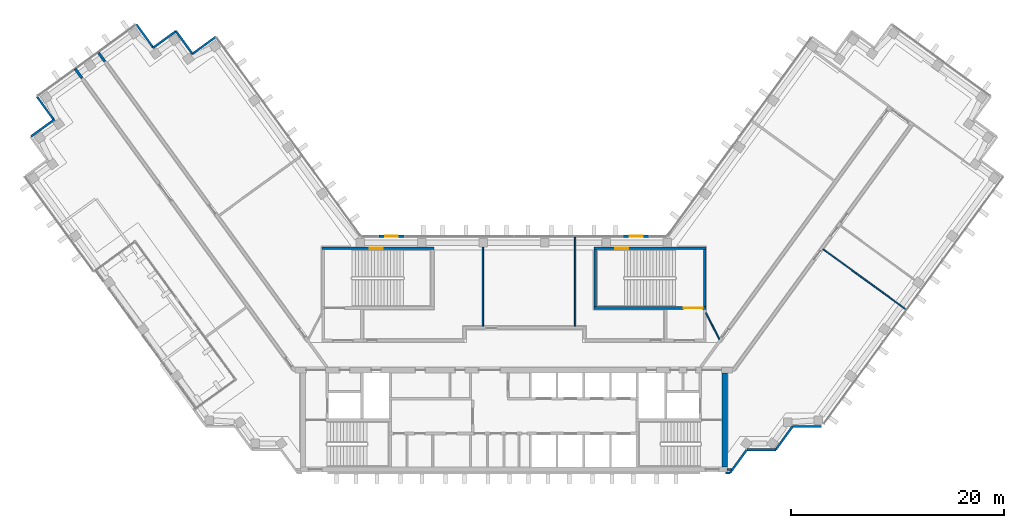
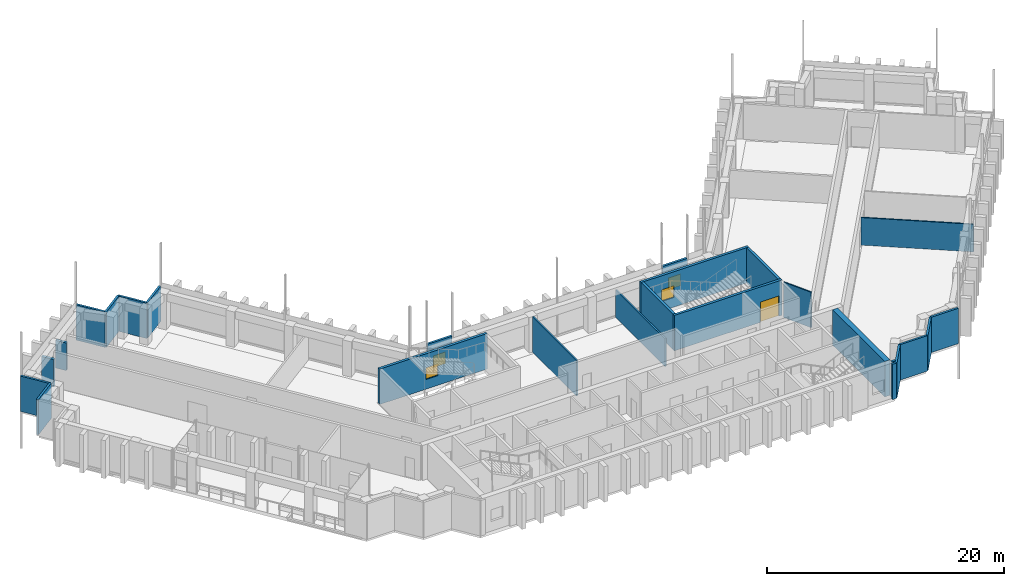
# One storey, part 11 of 15: 26 walls, 4 windows, 1 door, 5 openings.
"""IFC4 building model written with IfcOpenShell, lengths in metres."""

from ifc_helpers import new_model, si_unit, direction, frame, frame_2d, origin, place, context, subcontext, project, spatial, rectangle, extrude, material, layer, layer_set, type_object, element, fill, save


model = new_model("IFC4")

# Units and contexts
model_context = context("Model", 3, precision=1e-05, world=origin(), true_north=direction((0.0, 1.0)))
body_context = subcontext(model_context, "Body", "Model", "MODEL_VIEW")
ifc_project = project(units=[si_unit("LENGTHUNIT", "METRE"), si_unit("AREAUNIT", "SQUARE_METRE"), si_unit("VOLUMEUNIT", "CUBIC_METRE"), si_unit("PLANEANGLEUNIT", "RADIAN"), si_unit("MASSUNIT", "GRAM", prefix="KILO")], contexts=[model_context])

# Site, building, storey
site_placement = place(None, origin())
site = spatial("IfcSite", under=ifc_project, at=site_placement, CompositionType="ELEMENT")
building_placement = place(site_placement, origin())
building = spatial("IfcBuilding", under=site, at=building_placement, Name="Quipu Civic Tower", CompositionType="ELEMENT")
storey_placement = place(building_placement, frame((0.0, 0.0, 160.0)))
storey = spatial("IfcBuildingStorey", under=building, at=storey_placement, Name="L37", CompositionType="ELEMENT", Elevation=160.0)

# Walls
ifc_material_1 = material(Name="Double gypsum plasterboard with mineral wool")
ifc_layer_1 = layer(ifc_material_1, 0.14990234375)
ifc_layer_set_1 = layer_set([ifc_layer_1], Name="Double gypsum plasterboard with mineral wool")
wall_type_1 = type_object("IfcWallType", Name="Acoustic partition 150 plasterboard", PredefinedType="PARTITIONING", material=ifc_layer_set_1)
wall_1_placement = place(storey_placement, frame((-2.89892578125, 2.64990234375, 0.0), z_axis=(0.0, 0.0, 1.0), x_axis=(0.0, 1.0, 0.0)))
element("IfcWall", 1, at=wall_1_placement, inside=storey, type_object=wall_type_1, Name="Partition P05", PredefinedType="PARTITIONING", context=body_context, shape_type="SweptSolid", body=[
    extrude(rectangle(XDim=7.445068359375, YDim=0.14990234375, at=frame_2d((3.72265625, 0.0))), origin(), (0.0, 0.0, 1.0), 3.64990234375),
])
wall_2_placement = place(storey_placement, frame((5.738037109375, 2.64990234375, 0.0), z_axis=(0.0, 0.0, 1.0), x_axis=(0.0, 1.0, 0.0)))
element("IfcWall", 2, at=wall_2_placement, inside=storey, type_object=wall_type_1, Name="Partition P07", PredefinedType="PARTITIONING", context=body_context, shape_type="SweptSolid", body=[
    extrude(rectangle(XDim=8.35009765625, YDim=0.14990234375, at=frame_2d((4.175048828125, 0.0))), origin(), (0.0, 0.0, 1.0), 2.85009765625),
])

# Wall, opening, window
ifc_material_2 = material(Name="Concrete C70/85", Category="concrete")
ifc_layer_2 = layer(ifc_material_2, 0.25)
ifc_layer_set_2 = layer_set([ifc_layer_2], Name="Concrete C70/85")
wall_type_2 = type_object("IfcWallType", Name="Core wall 250", PredefinedType="SHEAR", material=ifc_layer_set_2)
wall_3_placement = place(storey_placement, frame((-18.0, 9.97509765625, 0.0), z_axis=(0.0, 0.0, 1.0), x_axis=(1.0, 0.0, 0.0)))
wall_3 = element("IfcWall", 3, at=wall_3_placement, inside=storey, type_object=wall_type_2, Name="Core wall", PredefinedType="SHEAR", context=body_context, shape_type="SweptSolid", body=[
    extrude(rectangle(XDim=10.5, YDim=0.25, at=frame_2d((5.25, 0.0))), origin(), (0.0, 0.0, 1.0), 3.64990234375),
])
opening_1_placement = place(wall_3_placement, frame((4.5, 0.0, 1.0)))
opening_1 = element("IfcOpeningElement", 4, at=opening_1_placement, cuts=wall_3, Name="Opening SV-3", PredefinedType="OPENING", context=body_context, shape_type="SweptSolid", body=[
    extrude(rectangle(XDim=1.199951171875, YDim=1.199951171875, at=frame_2d((0.60009765625, 0.60009765625))), frame((0.0, 0.135009765625, 0.0), z_axis=(0.0, -1.0, 0.0), x_axis=(1.0, 0.0, 0.0)), (0.0, 0.0, 1.0), 0.27001953125),
])
ifc_material_3 = material(Name="Aluminium louvre", Category="aluminium")
window_type_1 = type_object("IfcWindowType", Name="Stair ventilation louvre 1200 x 1200", PartitioningType="SINGLE_PANEL", PredefinedType="WINDOW", material=ifc_material_3)
window_1_placement = place(opening_1_placement, origin())
window_1 = element("IfcWindow", 5, at=window_1_placement, inside=storey, type_object=window_type_1, Name="Stair ventilation opening", OverallHeight=1.199951171875, OverallWidth=1.199951171875, PartitioningType="SINGLE_PANEL", PredefinedType="WINDOW", context=body_context, shape_type="SweptSolid", body=[
    extrude(rectangle(XDim=1.199951171875, YDim=1.199951171875, at=frame_2d((0.60009765625, 0.60009765625))), frame((0.0, 0.030029296875, 0.0), z_axis=(0.0, -1.0, 0.0), x_axis=(1.0, 0.0, 0.0)), (0.0, 0.0, 1.0), 0.06005859375),
])
fill(opening_1, window_1)

# Wall, opening, door
wall_4_placement = place(storey_placement, frame((7.5, 4.375, 0.0), z_axis=(0.0, 0.0, 1.0), x_axis=(1.0, 0.0, 0.0)))
wall_4 = element("IfcWall", 6, at=wall_4_placement, inside=storey, type_object=wall_type_2, Name="Core wall", PredefinedType="SHEAR", context=body_context, shape_type="SweptSolid", body=[
    extrude(rectangle(XDim=10.5, YDim=0.25, at=frame_2d((5.25, 0.0))), origin(), (0.0, 0.0, 1.0), 3.64990234375),
])
opening_2_placement = place(wall_4_placement, frame((8.39990234375, 0.0, 0.0)))
opening_2 = element("IfcOpeningElement", 7, at=opening_2_placement, cuts=wall_4, Name="Opening CD-25", PredefinedType="OPENING", context=body_context, shape_type="SweptSolid", body=[
    extrude(rectangle(XDim=1.800048828125, YDim=2.10009765625, at=frame_2d((0.89990234375, 1.050048828125))), frame((0.0, 0.135009765625, 0.0), z_axis=(0.0, -1.0, 0.0), x_axis=(1.0, 0.0, 0.0)), (0.0, 0.0, 1.0), 0.27001953125),
])
ifc_material_4 = material(Name="Fire rated steel door", Category="steel")
door_type = type_object("IfcDoorType", Name="Fire door FD90 double 1800 x 2100", OperationType="NOTDEFINED", PredefinedType="DOOR", material=ifc_material_4)
door_placement = place(opening_2_placement, origin())
door = element("IfcDoor", 8, at=door_placement, inside=storey, type_object=door_type, Name="Door", OperationType="DOUBLE_DOOR_SINGLE_SWING", OverallHeight=2.10009765625, OverallWidth=1.800048828125, PredefinedType="DOOR", context=body_context, shape_type="SweptSolid", body=[
    extrude(rectangle(XDim=1.800048828125, YDim=2.10009765625, at=frame_2d((0.89990234375, 1.050048828125))), frame((0.0, 0.02490234375, 0.0), z_axis=(0.0, -1.0, 0.0), x_axis=(1.0, 0.0, 0.0)), (0.0, 0.0, 1.0), 0.050048828125),
])
fill(opening_2, door)

# Walls
for number, where, z_axis, x_axis, name in (
    (9, (7.625, 4.5, 0.0), (0.0, 0.0, 1.0), (0.0, 1.0, 0.0), "Core wall"),
    (10, (17.875, 4.5, 0.0), (0.0, 0.0, 1.0), (0.0, 1.0, 0.0), "Core wall"),
):
    element("IfcWall", number, at=place(storey_placement, frame(where, z_axis=z_axis, x_axis=x_axis)), inside=storey, type_object=wall_type_2, Name=name, PredefinedType="SHEAR", context=body_context, shape_type="SweptSolid", body=[
        extrude(rectangle(XDim=5.35009765625, YDim=0.25, at=frame_2d((2.675048828125, 0.0))), origin(), (0.0, 0.0, 1.0), 3.64990234375),
    ])

# Wall, opening, window
wall_5_placement = place(storey_placement, frame((7.5, 9.97509765625, 0.0), z_axis=(0.0, 0.0, 1.0), x_axis=(1.0, 0.0, 0.0)))
wall_5 = element("IfcWall", 11, at=wall_5_placement, inside=storey, type_object=wall_type_2, Name="Core wall", PredefinedType="SHEAR", context=body_context, shape_type="SweptSolid", body=[
    extrude(rectangle(XDim=10.5, YDim=0.25, at=frame_2d((5.25, 0.0))), origin(), (0.0, 0.0, 1.0), 3.64990234375),
])
opening_3_placement = place(wall_5_placement, frame((2.0, 0.0, 1.0)))
opening_3 = element("IfcOpeningElement", 12, at=opening_3_placement, cuts=wall_5, Name="Opening SV-4", PredefinedType="OPENING", context=body_context, shape_type="SweptSolid", body=[
    extrude(rectangle(XDim=1.199951171875, YDim=1.199951171875, at=frame_2d((0.60009765625, 0.60009765625))), frame((0.0, 0.135009765625, 0.0), z_axis=(0.0, -1.0, 0.0), x_axis=(1.0, 0.0, 0.0)), (0.0, 0.0, 1.0), 0.27001953125),
])
window_2_placement = place(opening_3_placement, origin())
window_2 = element("IfcWindow", 13, at=window_2_placement, inside=storey, type_object=window_type_1, Name="Stair ventilation opening", OverallHeight=1.199951171875, OverallWidth=1.199951171875, PartitioningType="SINGLE_PANEL", PredefinedType="WINDOW", context=body_context, shape_type="SweptSolid", body=[
    extrude(rectangle(XDim=1.199951171875, YDim=1.199951171875, at=frame_2d((0.60009765625, 0.60009765625))), frame((0.0, 0.030029296875, 0.0), z_axis=(0.0, -1.0, 0.0), x_axis=(1.0, 0.0, 0.0)), (0.0, 0.0, 1.0), 0.06005859375),
])
fill(opening_3, window_2)

# Walls
ifc_material_5 = material(Name="Concrete C70/85", Category="concrete")
ifc_layer_3 = layer(ifc_material_5, 0.5)
ifc_layer_set_3 = layer_set([ifc_layer_3], Name="Concrete C70/85")
wall_type_3 = type_object("IfcWallType", Name="Core wall 500", PredefinedType="SHEAR", material=ifc_layer_set_3)
wall_6_placement = place(storey_placement, frame((19.75, -10.5, 0.0), z_axis=(0.0, 0.0, 1.0), x_axis=(0.0, 1.0, 0.0)))
element("IfcWall", 14, at=wall_6_placement, inside=storey, type_object=wall_type_3, Name="Core wall", PredefinedType="SHEAR", context=body_context, shape_type="SweptSolid", body=[
    extrude(rectangle(XDim=8.800048828125, YDim=0.5, at=frame_2d((4.39990234375, 0.0))), origin(), (0.0, 0.0, 1.0), 3.64990234375),
])
ifc_material_6 = material(Name="Concrete C50/60", Category="concrete")
ifc_layer_4 = layer(ifc_material_6, 0.25)
ifc_layer_set_4 = layer_set([ifc_layer_4], Name="Concrete C50/60")
wall_type_4 = type_object("IfcWallType", Name="Corridor wall 250 concrete", PredefinedType="SOLIDWALL", material=ifc_layer_set_4)
wall_7_placement = place(storey_placement, frame((-40.46337890625, 25.911376953125, 0.0), z_axis=(0.0, 0.0, 1.0), x_axis=(-0.587792454268, 0.809011761785, 0.0)))
element("IfcWall", 15, at=wall_7_placement, inside=storey, type_object=wall_type_4, Name="Corridor wall C05", PredefinedType="SOLIDWALL", context=body_context, shape_type="SweptSolid", body=[
    extrude(rectangle(XDim=1.1103515625, YDim=0.25, at=frame_2d((0.55517578125, 0.0))), origin(), (0.0, 0.0, 1.0), 2.85009765625),
])
wall_8_placement = place(storey_placement, frame((-38.31982421875, 27.46923828125, 0.0), z_axis=(0.0, 0.0, 1.0), x_axis=(-0.587811913486, 0.808997623213, 0.0)))
element("IfcWall", 16, at=wall_8_placement, inside=storey, type_object=wall_type_4, Name="Corridor wall C06", PredefinedType="SOLIDWALL", context=body_context, shape_type="SweptSolid", body=[
    extrude(rectangle(XDim=1.0087890625, YDim=0.25, at=frame_2d((0.50439453125, 0.0))), origin(), (0.0, 0.0, 1.0), 2.85009765625),
])
ifc_material_7 = material(Name="Gypsum plasterboard on light gauge framing")
ifc_layer_5 = layer(ifc_material_7, 0.1201171875)
ifc_layer_set_5 = layer_set([ifc_layer_5], Name="Gypsum plasterboard on light gauge framing")
wall_type_5 = type_object("IfcWallType", Name="Partition 120 plasterboard", PredefinedType="PARTITIONING", material=ifc_layer_set_5)
wall_9_placement = place(storey_placement, frame((36.7021484375, 4.274169921875, 0.0), z_axis=(0.0, 0.0, 1.0), x_axis=(-0.808998008689, 0.58781138296, 0.0)))
element("IfcWall", 17, at=wall_9_placement, inside=storey, type_object=wall_type_5, Name="Partition P02", PredefinedType="PARTITIONING", context=body_context, shape_type="SweptSolid", body=[
    extrude(rectangle(XDim=9.5498046875, YDim=0.1201171875, at=frame_2d((4.77490234375, 0.0))), origin(), (0.0, 0.0, 1.0), 2.85009765625),
])
wall_10_placement = place(storey_placement, frame((18.0, 3.925048828125, 0.0), z_axis=(0.0, 0.0, 1.0), x_axis=(0.453950796792, -0.891026752736, 0.0)))
element("IfcWall", 18, at=wall_10_placement, inside=storey, type_object=wall_type_5, Name="Partition P10", PredefinedType="PARTITIONING", context=body_context, shape_type="SweptSolid", body=[
    extrude(rectangle(XDim=2.77783203125, YDim=0.1201171875, at=frame_2d((1.388916015625, 0.0))), origin(), (0.0, 0.0, 1.0), 3.64990234375),
])
ifc_material_8 = material(Name="Precast concrete C40/50", Category="concrete")
wall_type_6 = type_object("IfcWallType", Name="Precast cladding wall", PredefinedType="SOLIDWALL", material=ifc_material_8)
for number, where, z_axis, x_axis, name in (
    (19, (-43.060791015625, 22.04296875, 0.0), (0.0, 0.0, 1.0), (-0.809033161865, -0.587762999008, 0.0), "Precast cladding wall L37 P01"),
    (20, (-27.92138671875, 29.787109375, 0.0), (0.0, 0.0, 1.0), (-0.809033161865, -0.587762999008, 0.0), "Precast cladding wall L37 P07"),
    (21, (-30.08349609375, 28.149169921875, 0.0), (0.0, 0.0, 1.0), (-0.587762999008, 0.809033161865, 0.0), "Precast cladding wall L37 P08"),
    (22, (-31.653564453125, 30.330810546875, 0.0), (0.0, 0.0, 1.0), (-0.809033161865, -0.587762999008, 0.0), "Precast cladding wall L37 P09"),
    (23, (-33.80078125, 28.785888671875, 0.0), (0.0, 0.0, 1.0), (-0.587762999008, 0.809033161865, 0.0), "Precast cladding wall L37 P10"),
    (24, (-44.699462890625, 24.20458984375, 0.0), (0.0, 0.0, 1.0), (0.587762999008, -0.809033161865, 0.0), "Precast cladding wall L37 P12"),
):
    element("IfcWall", number, at=place(storey_placement, frame(where, z_axis=z_axis, x_axis=x_axis)), inside=storey, type_object=wall_type_6, Name=name, PredefinedType="SOLIDWALL", context=body_context, shape_type="SweptSolid", body=[
        extrude(rectangle(XDim=2.699951171875, YDim=0.199951171875, at=frame_2d((1.35009765625, 0.0))), origin(), (0.0, 0.0, 1.0), 3.64990234375),
    ])
wall_11_placement = place(storey_placement, frame((19.85009765625, -11.087890625, 0.0), z_axis=(0.0, 0.0, 1.0), x_axis=(1.0, 0.0, 0.0)))
element("IfcWall", 25, at=wall_11_placement, inside=storey, type_object=wall_type_6, Name="Precast cladding wall L37 P18", PredefinedType="SOLIDWALL", context=body_context, shape_type="SweptSolid", body=[
    extrude(rectangle(XDim=0.40576171875, YDim=0.199951171875, at=frame_2d((0.202880859375, 0.0))), origin(), (0.0, 0.0, 1.0), 3.64990234375),
])
wall_12_placement = place(storey_placement, frame((20.253173828125, -11.083251953125, 0.0), z_axis=(0.0, 0.0, 1.0), x_axis=(0.587766567315, 0.809030569476, 0.0)))
element("IfcWall", 26, at=wall_12_placement, inside=storey, type_object=wall_type_6, Name="Precast cladding wall L37 P19", PredefinedType="SOLIDWALL", context=body_context, shape_type="SweptSolid", body=[
    extrude(rectangle(XDim=2.687744140625, YDim=0.199951171875, at=frame_2d((1.34375, 0.0))), origin(), (0.0, 0.0, 1.0), 3.64990234375),
])
wall_13_placement = place(storey_placement, frame((21.8427734375, -8.90380859375, 0.0), z_axis=(0.0, 0.0, 1.0), x_axis=(1.0, 0.0, 0.0)))
element("IfcWall", 27, at=wall_13_placement, inside=storey, type_object=wall_type_6, Name="Precast cladding wall L37 P20", PredefinedType="SOLIDWALL", context=body_context, shape_type="SweptSolid", body=[
    extrude(rectangle(XDim=2.699951171875, YDim=0.199951171875, at=frame_2d((1.35009765625, 0.0))), origin(), (0.0, 0.0, 1.0), 3.64990234375),
])
wall_14_placement = place(storey_placement, frame((24.533203125, -8.90869140625, 0.0), z_axis=(0.0, 0.0, 1.0), x_axis=(0.587720002413, 0.809064397168, 0.0)))
element("IfcWall", 28, at=wall_14_placement, inside=storey, type_object=wall_type_6, Name="Precast cladding wall L37 P21", PredefinedType="SOLIDWALL", context=body_context, shape_type="SweptSolid", body=[
    extrude(rectangle(XDim=2.7001953125, YDim=0.199951171875, at=frame_2d((1.35009765625, 0.0))), origin(), (0.0, 0.0, 1.0), 3.64990234375),
])
wall_15_placement = place(storey_placement, frame((26.1298828125, -6.71923828125, 0.0), z_axis=(0.0, 0.0, 1.0), x_axis=(1.0, 0.0, 0.0)))
element("IfcWall", 29, at=wall_15_placement, inside=storey, type_object=wall_type_6, Name="Precast cladding wall L37 P22", PredefinedType="SOLIDWALL", context=body_context, shape_type="SweptSolid", body=[
    extrude(rectangle(XDim=2.699951171875, YDim=0.199951171875, at=frame_2d((1.35009765625, 0.0))), origin(), (0.0, 0.0, 1.0), 3.64990234375),
])

# Wall, opening, window
wall_16_placement = place(storey_placement, frame((12.655029296875, 11.10009765625, 0.0), z_axis=(0.0, 0.0, 1.0), x_axis=(-1.0, 0.0, 0.0)))
wall_16 = element("IfcWall", 30, at=wall_16_placement, inside=storey, type_object=wall_type_6, Name="Vent surround SF-L36-2", PredefinedType="SOLIDWALL", context=body_context, shape_type="SweptSolid", body=[
    extrude(rectangle(XDim=2.3916015625, YDim=0.199951171875, at=frame_2d((1.19580078125, 0.0))), origin(), (0.0, 0.0, 1.0), 3.64990234375),
])
opening_4_placement = place(wall_16_placement, frame((0.595703125, 0.0, 1.0)))
opening_4 = element("IfcOpeningElement", 31, at=opening_4_placement, cuts=wall_16, Name="Opening SF-L36-2", PredefinedType="OPENING", context=body_context, shape_type="SweptSolid", body=[
    extrude(rectangle(XDim=1.199951171875, YDim=1.199951171875, at=frame_2d((0.60009765625, 0.60009765625))), frame((0.0, 0.10986328125, 0.0), z_axis=(0.0, -1.0, 0.0), x_axis=(1.0, 0.0, 0.0)), (0.0, 0.0, 1.0), 0.219970703125),
])
ifc_material_9 = material(Name="Anodised aluminium louvre", Category="aluminium")
window_type_2 = type_object("IfcWindowType", Name="Stair vent louvre window P3", PartitioningType="SINGLE_PANEL", PredefinedType="WINDOW", material=ifc_material_9)
window_3_placement = place(opening_4_placement, origin())
window_3 = element("IfcWindow", 32, at=window_3_placement, inside=storey, type_object=window_type_2, Name="Stair vent louvre SF-L36-2", OverallHeight=1.199951171875, OverallWidth=1.199951171875, PartitioningType="SINGLE_PANEL", PredefinedType="WINDOW", context=body_context, shape_type="SweptSolid", body=[
    extrude(rectangle(XDim=1.199951171875, YDim=1.199951171875, at=frame_2d((0.60009765625, 0.60009765625))), frame((0.0, 0.030029296875, 0.0), z_axis=(0.0, -1.0, 0.0), x_axis=(1.0, 0.0, 0.0)), (0.0, 0.0, 1.0), 0.06005859375),
])
fill(opening_4, window_3)

wall_17_placement = place(storey_placement, frame((-10.263427734375, 11.10009765625, 0.0), z_axis=(0.0, 0.0, 1.0), x_axis=(-1.0, 0.0, 0.0)))
wall_17 = element("IfcWall", 33, at=wall_17_placement, inside=storey, type_object=wall_type_6, Name="Vent surround SF-L36-1", PredefinedType="SOLIDWALL", context=body_context, shape_type="SweptSolid", body=[
    extrude(rectangle(XDim=2.3916015625, YDim=0.199951171875, at=frame_2d((1.19580078125, 0.0))), origin(), (0.0, 0.0, 1.0), 3.64990234375),
])
opening_5_placement = place(wall_17_placement, frame((0.595703125, 0.0, 1.0)))
opening_5 = element("IfcOpeningElement", 34, at=opening_5_placement, cuts=wall_17, Name="Opening SF-L36-1", PredefinedType="OPENING", context=body_context, shape_type="SweptSolid", body=[
    extrude(rectangle(XDim=1.199951171875, YDim=1.199951171875, at=frame_2d((0.60009765625, 0.60009765625))), frame((0.0, 0.10986328125, 0.0), z_axis=(0.0, -1.0, 0.0), x_axis=(1.0, 0.0, 0.0)), (0.0, 0.0, 1.0), 0.219970703125),
])
window_4_placement = place(opening_5_placement, origin())
window_4 = element("IfcWindow", 35, at=window_4_placement, inside=storey, type_object=window_type_2, Name="Stair vent louvre SF-L36-1", OverallHeight=1.199951171875, OverallWidth=1.199951171875, PartitioningType="SINGLE_PANEL", PredefinedType="WINDOW", context=body_context, shape_type="SweptSolid", body=[
    extrude(rectangle(XDim=1.199951171875, YDim=1.199951171875, at=frame_2d((0.60009765625, 0.60009765625))), frame((0.0, 0.030029296875, 0.0), z_axis=(0.0, -1.0, 0.0), x_axis=(1.0, 0.0, 0.0)), (0.0, 0.0, 1.0), 0.06005859375),
])
fill(opening_5, window_4)

# Wall
wall_18_placement = place(storey_placement, frame((19.97998046875, -10.75, 0.0), z_axis=(0.0, 0.0, 1.0), x_axis=(1.0, 0.0, 0.0)))
element("IfcWall", 36, at=wall_18_placement, inside=storey, type_object=wall_type_6, Name="Precast cladding return L37 E", PredefinedType="SOLIDWALL", context=body_context, shape_type="SweptSolid", body=[
    extrude(rectangle(XDim=0.41650390625, YDim=0.199951171875, at=frame_2d((0.208251953125, 0.0))), origin(), (0.0, 0.0, 1.0), 3.64990234375),
])

save(model, "model.ifc")
